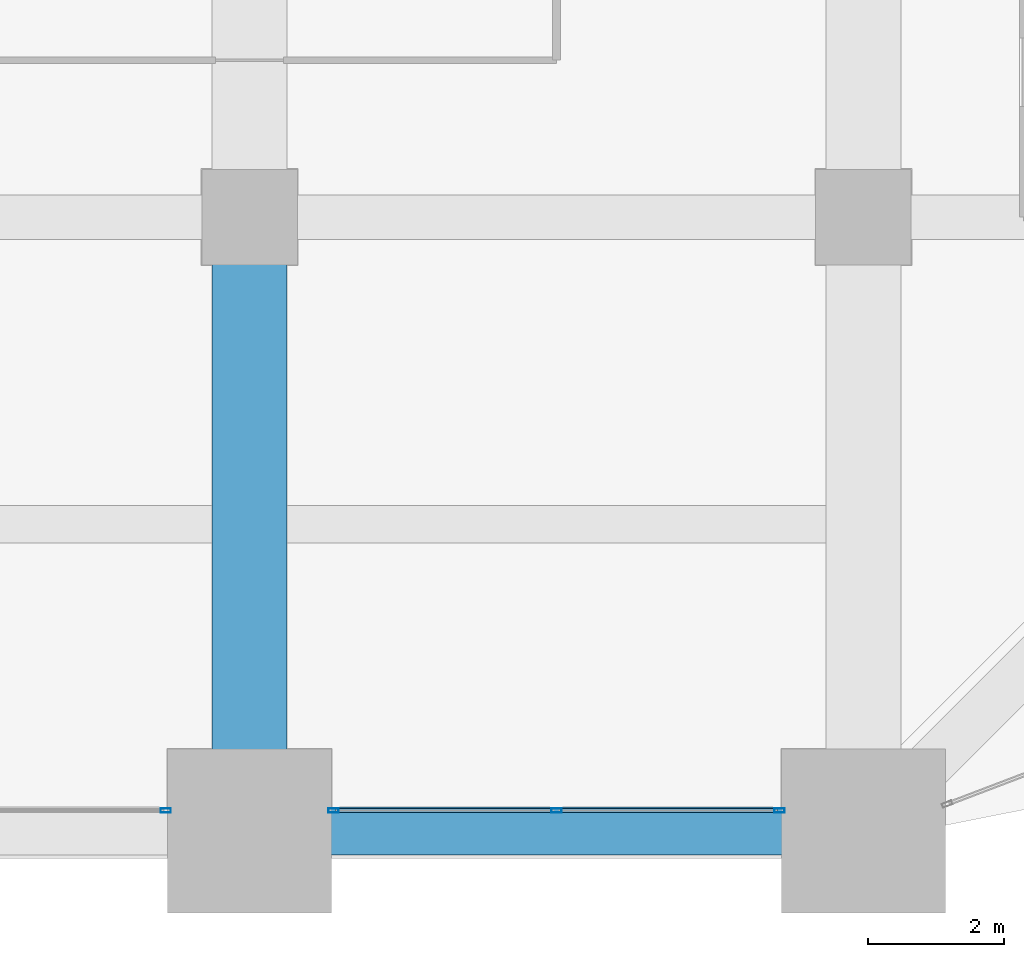
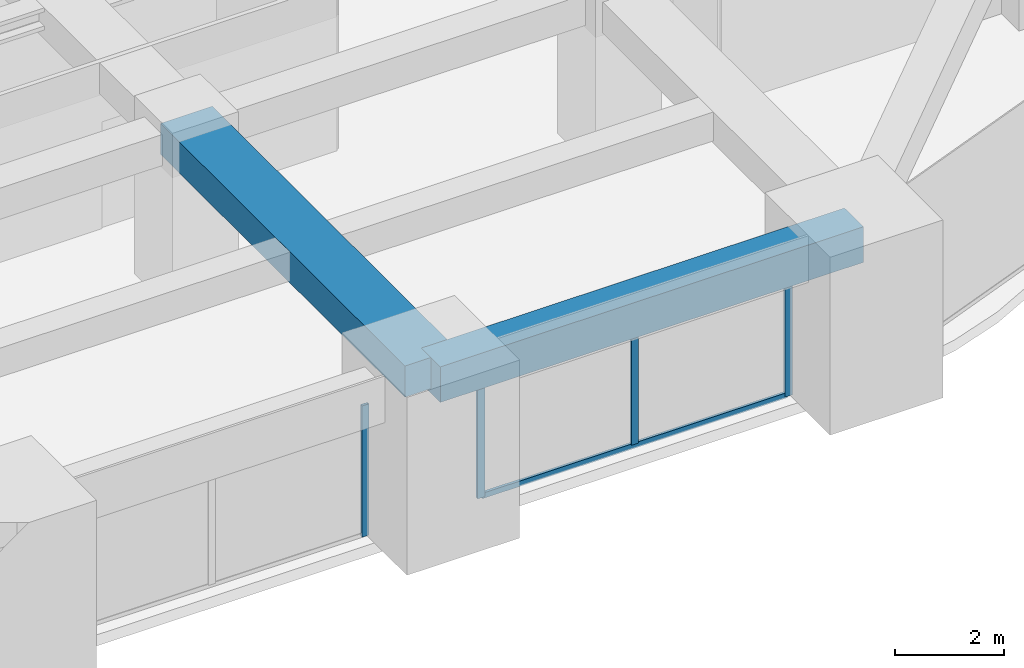
# One storey, part 13 of 32: 5 members, 2 beams, 2 elements without a shape of their own.
"""IFC4 building model written with IfcOpenShell, lengths in metres."""

from ifc_helpers import new_model, si_unit, direction, frame, origin, origin_2d, place, context, subcontext, project, spatial, rectangle, hollow_rectangle, extrude, material, material_profile, profile_set, type_object, element, aggregate, save


model = new_model("IFC4")

# Units and contexts
model_context = context("Model", 3, precision=1e-05, world=origin(), true_north=direction((0.0, 1.0)))
body_context = subcontext(model_context, "Body", "Model", "MODEL_VIEW")
ifc_project = project(units=[si_unit("LENGTHUNIT", "METRE"), si_unit("AREAUNIT", "SQUARE_METRE"), si_unit("VOLUMEUNIT", "CUBIC_METRE"), si_unit("PLANEANGLEUNIT", "RADIAN"), si_unit("MASSUNIT", "GRAM", prefix="KILO")], contexts=[model_context])

# Site, building, storey
site_placement = place(None, origin())
site = spatial("IfcSite", under=ifc_project, at=site_placement, CompositionType="ELEMENT")
building_placement = place(site_placement, origin())
building = spatial("IfcBuilding", under=site, at=building_placement, Name="Zorevar Civic Tower", CompositionType="ELEMENT")
storey_placement = place(building_placement, frame((0.0, 0.0, 202.199951171875)))
storey = spatial("IfcBuildingStorey", under=building, at=storey_placement, Name="L49", CompositionType="ELEMENT", Elevation=202.199951171875)

# Beam
ifc_material_1 = material(Name="Concrete C50/60", Category="concrete")
ifc_material_profile_1 = material_profile(ifc_material_1, rectangle(XDim=1.10009765625, YDim=0.699951171875, at=origin_2d()), Name="RC 1100x700")
ifc_profile_set_1 = profile_set([ifc_material_profile_1], Name="Concrete C50/60")
beam_type_1 = type_object("IfcBeamType", Name="Beam RC 1100x700", PredefinedType="BEAM", material=ifc_profile_set_1)
beam_1_placement = place(storey_placement, frame((36.0, 0.0, 3.400146484375), z_axis=(0.0, 1.0, 0.0), x_axis=(-1.0, 0.0, 0.0)))
element("IfcBeam", 1, at=beam_1_placement, inside=storey, type_object=beam_type_1, Name="Girder L50", PredefinedType="BEAM", context=body_context, shape_type="SweptSolid", body=[
    extrude(rectangle(XDim=1.10009765625, YDim=0.699951171875, at=origin_2d()), origin(), (0.0, 0.0, 1.0), 9.0),
])

# Curtain wall, member
ifc_material_2 = material(Name="Dark grey solar-control glass in black aluminium frame", Category="aluminium")
curtain_wall_type = type_object("IfcCurtainWallType", Name="Curtain wall CW4 high zone", PredefinedType="NOTDEFINED", material=ifc_material_2)
curtain_wall_1_placement = place(storey_placement, origin())
curtain_wall_1 = element("IfcCurtainWall", 2, at=curtain_wall_1_placement, inside=storey, type_object=curtain_wall_type, Name="CW4 L49", PredefinedType="NOTDEFINED")
ifc_material_3 = material(Name="Aluminium, black anodised", Category="aluminium")
ifc_material_profile_2 = material_profile(ifc_material_3, hollow_rectangle(XDim=0.06005859375, YDim=0.14990234375, WallThickness=0.00390625, at=origin_2d()), Name="AL 150x60x4")
ifc_profile_set_2 = profile_set([ifc_material_profile_2], Name="Aluminium, black anodised")
member_type_1 = type_object("IfcMemberType", Name="CW4 mullion AL 150x60x4", PredefinedType="MULLION", material=ifc_profile_set_2)
member_1_placement = place(storey_placement, frame((34.77001953125, 0.300048828125, 0.0), z_axis=(0.0, 0.0, 1.0), x_axis=(0.0, 1.0, 0.0)))
member_1 = element("IfcMember", 3, at=member_1_placement, type_object=member_type_1, Name="CW4 mullion 3", PredefinedType="MULLION", context=body_context, shape_type="SweptSolid", body=[
    extrude(hollow_rectangle(XDim=0.06005859375, YDim=0.14990234375, WallThickness=0.00390625, at=origin_2d()), origin(), (0.0, 0.0, 1.0), 2.949951171875),
])
aggregate(curtain_wall_1, [member_1])

# Curtain wall, members
curtain_wall_2_placement = place(storey_placement, origin())
curtain_wall_2 = element("IfcCurtainWall", 4, at=curtain_wall_2_placement, inside=storey, type_object=curtain_wall_type, Name="CW4 L49", PredefinedType="NOTDEFINED")
member_2_placement = place(storey_placement, frame((37.22998046875, 0.300048828125, 0.0), z_axis=(0.0, 0.0, 1.0), x_axis=(0.0, 1.0, 0.0)))
member_2 = element("IfcMember", 5, at=member_2_placement, type_object=member_type_1, Name="CW4 mullion 1", PredefinedType="MULLION", context=body_context, shape_type="SweptSolid", body=[
    extrude(hollow_rectangle(XDim=0.06005859375, YDim=0.14990234375, WallThickness=0.00390625, at=origin_2d()), origin(), (0.0, 0.0, 1.0), 2.949951171875),
])
member_3_placement = place(storey_placement, frame((40.5, 0.300048828125, 0.06005859375), z_axis=(0.0, 0.0, 1.0), x_axis=(0.0, 1.0, 0.0)))
member_3 = element("IfcMember", 6, at=member_3_placement, type_object=member_type_1, Name="CW4 mullion 2", PredefinedType="MULLION", context=body_context, shape_type="SweptSolid", body=[
    extrude(hollow_rectangle(XDim=0.06005859375, YDim=0.14990234375, WallThickness=0.00390625, at=origin_2d()), origin(), (0.0, 0.0, 1.0), 2.889892578125),
])
member_4_placement = place(storey_placement, frame((43.77001953125, 0.300048828125, 0.0), z_axis=(0.0, 0.0, 1.0), x_axis=(0.0, 1.0, 0.0)))
member_4 = element("IfcMember", 7, at=member_4_placement, type_object=member_type_1, Name="CW4 mullion 3", PredefinedType="MULLION", context=body_context, shape_type="SweptSolid", body=[
    extrude(hollow_rectangle(XDim=0.06005859375, YDim=0.14990234375, WallThickness=0.00390625, at=origin_2d()), origin(), (0.0, 0.0, 1.0), 2.949951171875),
])
ifc_material_4 = material(Name="Aluminium, black anodised", Category="aluminium")
ifc_material_profile_3 = material_profile(ifc_material_4, hollow_rectangle(XDim=0.06005859375, YDim=0.1201171875, WallThickness=0.0029296875, at=origin_2d()), Name="AL 120x60x3")
ifc_profile_set_3 = profile_set([ifc_material_profile_3], Name="Aluminium, black anodised")
member_type_2 = type_object("IfcMemberType", Name="CW4 transom AL 120x60x3", PredefinedType="USERDEFINED", material=ifc_profile_set_3)
member_5_placement = place(storey_placement, frame((37.260009765625, 0.300048828125, 0.030029296875), z_axis=(1.0, 0.0, 0.0), x_axis=(0.0, 1.0, 0.0)))
member_5 = element("IfcMember", 8, at=member_5_placement, type_object=member_type_2, Name="CW4 sill transom", ObjectType="TRANSOM", PredefinedType="USERDEFINED", context=body_context, shape_type="SweptSolid", body=[
    extrude(hollow_rectangle(XDim=0.06005859375, YDim=0.1201171875, WallThickness=0.0029296875, at=origin_2d()), origin(), (0.0, 0.0, 1.0), 6.47998046875),
])
aggregate(curtain_wall_2, [member_2, member_3, member_4, member_5])

# Beam
ifc_material_5 = material(Name="Concrete C50/60", Category="concrete")
ifc_material_profile_4 = material_profile(ifc_material_5, rectangle(XDim=0.699951171875, YDim=0.800048828125, at=origin_2d()), Name="RC 700x800")
ifc_profile_set_4 = profile_set([ifc_material_profile_4], Name="Concrete C50/60")
beam_type_2 = type_object("IfcBeamType", Name="Edge beam RC 700x800", PredefinedType="SPANDREL", material=ifc_profile_set_4)
beam_2_placement = place(storey_placement, frame((36.0, 0.0, 3.35009765625), z_axis=(1.0, 0.0, 0.0), x_axis=(0.0, 1.0, 0.0)))
element("IfcBeam", 9, at=beam_2_placement, inside=storey, type_object=beam_type_2, Name="Edge beam L50", PredefinedType="SPANDREL", context=body_context, shape_type="SweptSolid", body=[
    extrude(rectangle(XDim=0.699951171875, YDim=0.800048828125, at=origin_2d()), origin(), (0.0, 0.0, 1.0), 9.0),
])

save(model, "model.ifc")
